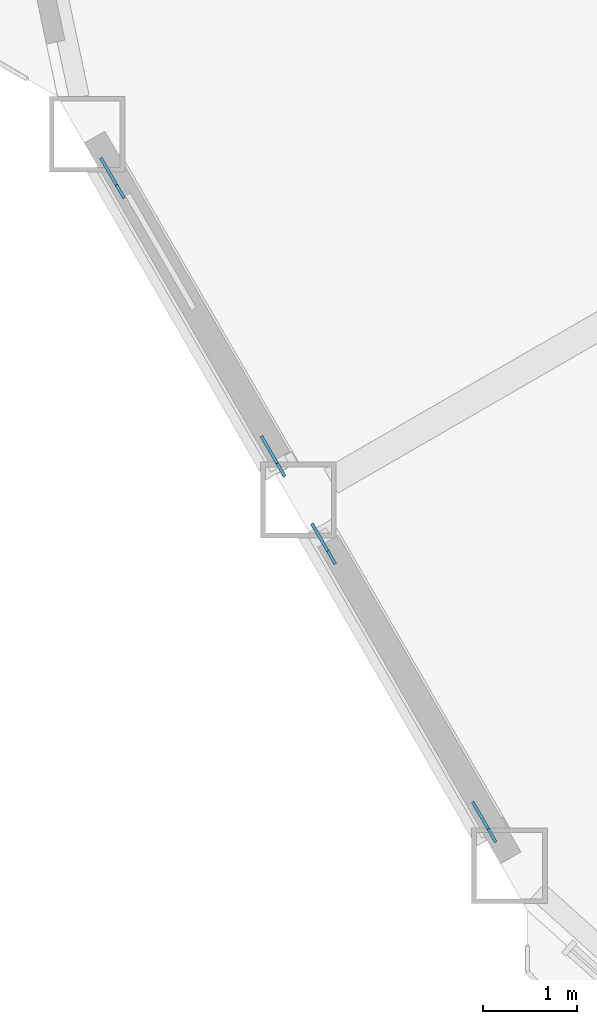
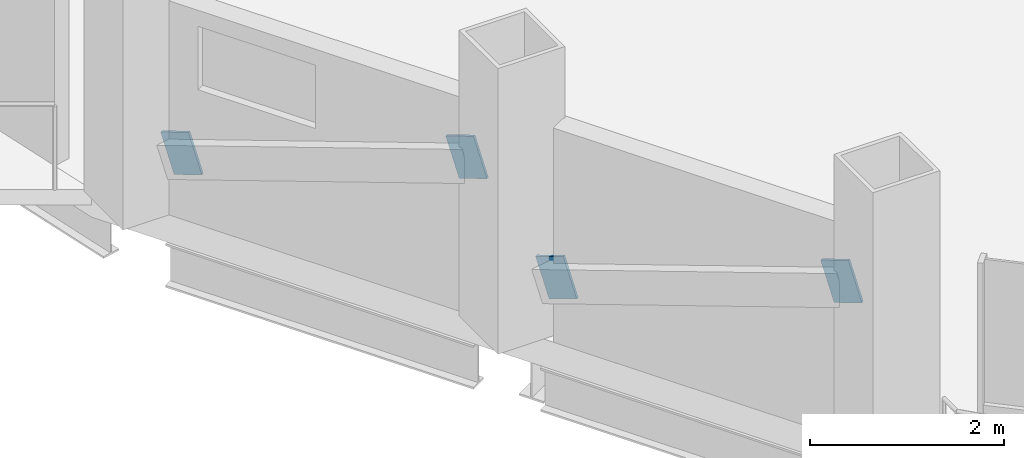
# One storey, part 16 of 23: 4 discrete accessories.
"""IFC4 building model written with IfcOpenShell, lengths in metres."""

import ifcopenshell
import ifcopenshell.guid

model = None  # the IFC model being written
_history = None  # IfcOwnerHistory: only IFC2X3 demands one
_inside = {}  # id of a spatial element -> (the spatial element, [elements in it])
_under = {}  # id of a project, library or spatial element -> (it, [spatial elements below it])
_declared = {}  # id of a project -> (the project, [libraries it declares])
_typed = {}  # id of a type object -> (the type object, [elements of that type])
_made_of = {}  # id of a material, layer set ... -> (it, [elements and type objects made of it])


def new_model(schema):
    """Start an empty IFC model of exactly this schema.

    Asked for "IFC4X3", IfcOpenShell would pick the latest addendum, in which some entities
    have other attributes; the version numbers below select the first issue.
    IFC2X3 requires an IfcOwnerHistory on every rooted entity: one is made here for all.
    """
    global model, _history
    if schema == "IFC4X3":
        model = ifcopenshell.file(schema_version=(4, 3, 0, 0))
    else:
        model = ifcopenshell.file(schema=schema)
    _inside.clear()
    _under.clear()
    _declared.clear()
    _typed.clear()
    _made_of.clear()
    _history = None
    if model.schema == "IFC2X3":
        org = make("IfcOrganization", Name="unknown")
        user = make(
            "IfcPersonAndOrganization",
            ThePerson=make("IfcPerson", FamilyName="unknown"),
            TheOrganization=org,
        )
        app = make(
            "IfcApplication",
            ApplicationDeveloper=org,
            Version="unknown",
            ApplicationFullName="unknown",
            ApplicationIdentifier="unknown",
        )
        _history = make(
            "IfcOwnerHistory",
            OwningUser=user,
            OwningApplication=app,
            ChangeAction="ADDED",
            CreationDate=0,
        )
    return model


def make(cls, **values):
    """One entity of the class cls with the attributes given. An attribute that is None is left unset."""
    return model.create_entity(
        cls, **{name: value for name, value in values.items() if value is not None}
    )


def rooted(cls, **values):
    """An entity with a GlobalId (a new one), such as an element, a storey or a relation."""
    return make(cls, GlobalId=ifcopenshell.guid.new(), OwnerHistory=_history, **values)


def si_unit(unit_type, name, prefix=None):
    """IfcSIUnit, for example si_unit("LENGTHUNIT", "METRE", prefix="MILLI")."""
    return make("IfcSIUnit", UnitType=unit_type, Prefix=prefix, Name=name)


def assignment(units):
    """IfcUnitAssignment: the units of a project."""
    return None if units is None else make("IfcUnitAssignment", Units=units)


def point(xyz):
    """IfcCartesianPoint."""
    return None if xyz is None else make("IfcCartesianPoint", Coordinates=xyz)


def direction(xyz):
    """IfcDirection."""
    return None if xyz is None else make("IfcDirection", DirectionRatios=xyz)


def frame(location, z_axis=None, x_axis=None):
    """IfcAxis2Placement3D, a coordinate frame: its origin and axes. An axis left out is left unset."""
    return make(
        "IfcAxis2Placement3D",
        Location=point(location),
        Axis=direction(z_axis),
        RefDirection=direction(x_axis),
    )


def frame_2d(location, x_axis=None):
    """IfcAxis2Placement2D, a coordinate frame in the plane: its origin and x axis."""
    return make(
        "IfcAxis2Placement2D", Location=point(location), RefDirection=direction(x_axis)
    )


def origin():
    """The frame at (0, 0, 0) with its axes left unset."""
    return frame((0.0, 0.0, 0.0))


def origin_2d():
    """The frame at (0, 0) in the plane with its x axis left unset."""
    return frame_2d((0.0, 0.0))


def place(relative_to, where):
    """IfcLocalPlacement: puts the frame where relative to a parent placement (None: the world)."""
    return make(
        "IfcLocalPlacement", PlacementRelTo=relative_to, RelativePlacement=where
    )


def context(
    kind, dimensions, precision=None, world=None, true_north=None, identifier=None
):
    """IfcGeometricRepresentationContext, for example the 3D "Model" context."""
    return make(
        "IfcGeometricRepresentationContext",
        ContextIdentifier=identifier,
        ContextType=kind,
        CoordinateSpaceDimension=dimensions,
        Precision=precision,
        WorldCoordinateSystem=world,
        TrueNorth=true_north,
    )


def subcontext(parent, identifier, kind, view, scale=None):
    """IfcGeometricRepresentationSubContext, for example "Body" below "Model"."""
    return make(
        "IfcGeometricRepresentationSubContext",
        ContextIdentifier=identifier,
        ContextType=kind,
        ParentContext=parent,
        TargetScale=scale,
        TargetView=view,
    )


def project(units=None, contexts=None):
    """IfcProject with its units and contexts."""
    return rooted(
        "IfcProject",
        Name="project",
        RepresentationContexts=contexts,
        UnitsInContext=assignment(units),
    )


def spatial(cls, under=None, at=None, **own):
    """A site, building, storey or space (cls), placed at a placement, below another one or the project."""
    s = rooted(cls, ObjectPlacement=at, **own)
    if under is not None:
        _under.setdefault(under.id(), (under, []))[1].append(s)
    return s


def profile(cls, at=None, kind="AREA", **sizes):
    """A parametric profile (cls). Its sizes go by their IFC names, for example OverallWidth=200.0."""
    return make(cls, ProfileType=kind, Position=at, **sizes)


def rectangle(**sizes):
    """IfcRectangleProfileDef."""
    return profile("IfcRectangleProfileDef", **sizes)


def extrude(swept, where, along, depth):
    """IfcExtrudedAreaSolid: the profile swept, set in the frame where, extruded along a direction by depth."""
    return make(
        "IfcExtrudedAreaSolid",
        SweptArea=swept,
        Position=where,
        ExtrudedDirection=direction(along),
        Depth=depth,
    )


def shape(context_of_items, identifier, shape_type, items):
    """IfcShapeRepresentation: the items that make up one representation, for example the "Body"."""
    return make(
        "IfcShapeRepresentation",
        ContextOfItems=context_of_items,
        RepresentationIdentifier=identifier,
        RepresentationType=shape_type,
        Items=items,
    )


def material(Name=None, Category=None):
    """IfcMaterial."""
    return make("IfcMaterial", Name=Name, Category=Category)


def material_profile(
    of_material, cross_section, Name=None, Category=None, Priority=None
):
    """IfcMaterialProfile: a cross section and its material."""
    return make(
        "IfcMaterialProfile",
        Name=Name,
        Material=of_material,
        Profile=cross_section,
        Priority=Priority,
        Category=Category,
    )


def profile_set(profiles, Name=None, composite=None):
    """IfcMaterialProfileSet."""
    return make(
        "IfcMaterialProfileSet",
        Name=Name,
        MaterialProfiles=profiles,
        CompositeProfile=composite,
    )


def made_of(thing, what):
    """Note that an element or type object is made of a material, layer set ...; save() writes the relation."""
    if what is not None:
        _made_of.setdefault(what.id(), (what, []))[1].append(thing)
    return thing


def type_object(cls, material=None, **own):
    """A type object (cls), such as IfcWallType, which elements share."""
    return made_of(rooted(cls, **own), material)


def element(
    cls,
    number,
    at=None,
    inside=None,
    cuts=None,
    type_object=None,
    material=None,
    context=None,
    identifier="Body",
    shape_type=None,
    held_by="IfcProductDefinitionShape",
    body=None,
    shapes=None,
    **own,
):
    """One element of the class cls, such as IfcWall. Its Tag is "e" and its number.

    at: its placement. inside: the storey or other place that contains it. cuts: it is an
    opening in that element (IfcRelVoidsElement). A single representation is given by context,
    identifier, shape_type and body (its items); several are given by shapes. held_by: the class
    of the entity that holds the representations. save() writes the other relations.
    """
    e = rooted(cls, Tag="e%d" % number, ObjectPlacement=at, **own)
    if body is not None:
        shapes = [shape(context, identifier, shape_type, body)]
    if shapes is not None:
        e.Representation = make(held_by, Representations=shapes)
    if inside is not None:
        _inside.setdefault(inside.id(), (inside, []))[1].append(e)
    if cuts is not None:
        rooted(
            "IfcRelVoidsElement", RelatingBuildingElement=cuts, RelatedOpeningElement=e
        )
    if type_object is not None:
        _typed.setdefault(type_object.id(), (type_object, []))[1].append(e)
    return made_of(e, material)


def aggregate(whole, parts):
    """IfcRelAggregates: a whole, such as a stair, and the parts it consists of."""
    return rooted("IfcRelAggregates", RelatingObject=whole, RelatedObjects=parts)


def save(model, path):
    """Write the relations noted so far, then the file.

    IfcRelAggregates (storeys below a building ...), IfcRelContainedInSpatialStructure (elements
    in a storey), IfcRelDefinesByType, IfcRelAssociatesMaterial and IfcRelDeclares: one each for
    every whole, place, type object, material and project.
    """
    for whole, parts in _under.values():
        aggregate(whole, parts)
    for where, things in _inside.values():
        rooted(
            "IfcRelContainedInSpatialStructure",
            RelatedElements=things,
            RelatingStructure=where,
        )
    for kind, things in _typed.values():
        rooted("IfcRelDefinesByType", RelatedObjects=things, RelatingType=kind)
    for what, things in _made_of.values():
        rooted("IfcRelAssociatesMaterial", RelatedObjects=things, RelatingMaterial=what)
    for by, libraries in _declared.values():
        rooted("IfcRelDeclares", RelatingContext=by, RelatedDefinitions=libraries)
    model.write(path)


model = new_model("IFC4")

# Units and contexts
model_context = context("Model", 3, precision=1e-05, world=origin(), true_north=direction((0.0, 1.0)))
body_context = subcontext(model_context, "Body", "Model", "MODEL_VIEW")
ifc_project = project(units=[si_unit("LENGTHUNIT", "METRE"), si_unit("AREAUNIT", "SQUARE_METRE"), si_unit("VOLUMEUNIT", "CUBIC_METRE"), si_unit("PLANEANGLEUNIT", "RADIAN"), si_unit("MASSUNIT", "GRAM", prefix="KILO")], contexts=[model_context])

# Site, building, storey
site_placement = place(None, origin())
site = spatial("IfcSite", under=ifc_project, at=site_placement, CompositionType="ELEMENT")
building_placement = place(site_placement, origin())
building = spatial("IfcBuilding", under=site, at=building_placement, Name="Cormorant Prow Tower", CompositionType="ELEMENT")
storey_placement = place(building_placement, frame((0.0, 0.0, 183.60009765625)))
storey = spatial("IfcBuildingStorey", under=building, at=storey_placement, Name="L39", CompositionType="ELEMENT", Elevation=183.60009765625)

# Discrete accessories
ifc_material = material(Name="Structural steel ASTM A500 Gr C", Category="steel")
ifc_material_profile = material_profile(ifc_material, rectangle(XDim=0.031982421875, YDim=0.506103515625, at=origin_2d()), Name="Gusset plate 32x506")
ifc_profile_set = profile_set([ifc_material_profile], Name="Structural steel ASTM A500 Gr C")
discrete_accessory_type = type_object("IfcDiscreteAccessoryType", Name="Gusset plate 32x506", PredefinedType="BRACKET", material=ifc_profile_set)
discrete_accessory_1_placement = place(storey_placement, frame((-29.943359375, -12.935791015625, 0.83544921875), z_axis=(-0.47373689254, 0.821190460264, -0.318150254784), x_axis=(-0.866197837791, -0.499701216534, 0.0)))
element("IfcDiscreteAccessory", 1, at=discrete_accessory_1_placement, inside=storey, type_object=discrete_accessory_type, Name="Gusset plate GP2 L39.WSW00.g0", PredefinedType="BRACKET", context=body_context, shape_type="SweptSolid", body=[
    extrude(rectangle(XDim=0.031982421875, YDim=0.506103515625, at=origin_2d()), origin(), (0.0, 0.0, 1.0), 0.349853515625),
])
for number, where, z_axis, x_axis, name in (
    (2, (-28.40966796875, -15.59228515625, 1.865234375), (0.4742777402, -0.820918970906, 0.31804507284), (0.86587923604, 0.500253084543, 0.0), "Gusset plate GP2 L39.WSW00.g1"),
    (3, (-27.7080078125, -16.807373046875, 0.83544921875), (-0.4742777402, 0.820918970906, -0.31804507284), (-0.86587923604, -0.500253084543, 0.0), "Gusset plate GP2 L39.WSW01.g0"),
):
    element("IfcDiscreteAccessory", number, at=place(storey_placement, frame(where, z_axis=z_axis, x_axis=x_axis)), inside=storey, type_object=discrete_accessory_type, Name=name, PredefinedType="BRACKET", context=body_context, shape_type="SweptSolid", body=[
        extrude(rectangle(XDim=0.031982421875, YDim=0.506103515625, at=origin_2d()), origin(), (0.0, 0.0, 1.0), 0.35009765625),
    ])
discrete_accessory_2_placement = place(storey_placement, frame((-26.17431640625, -19.463623046875, 1.865234375), z_axis=(0.47373689254, -0.821190460264, 0.318150254784), x_axis=(0.866197837791, 0.499701216534, 0.0)))
element("IfcDiscreteAccessory", 4, at=discrete_accessory_2_placement, inside=storey, type_object=discrete_accessory_type, Name="Gusset plate GP2 L39.WSW01.g1", PredefinedType="BRACKET", context=body_context, shape_type="SweptSolid", body=[
    extrude(rectangle(XDim=0.031982421875, YDim=0.506103515625, at=origin_2d()), origin(), (0.0, 0.0, 1.0), 0.349853515625),
])

save(model, "model.ifc")
